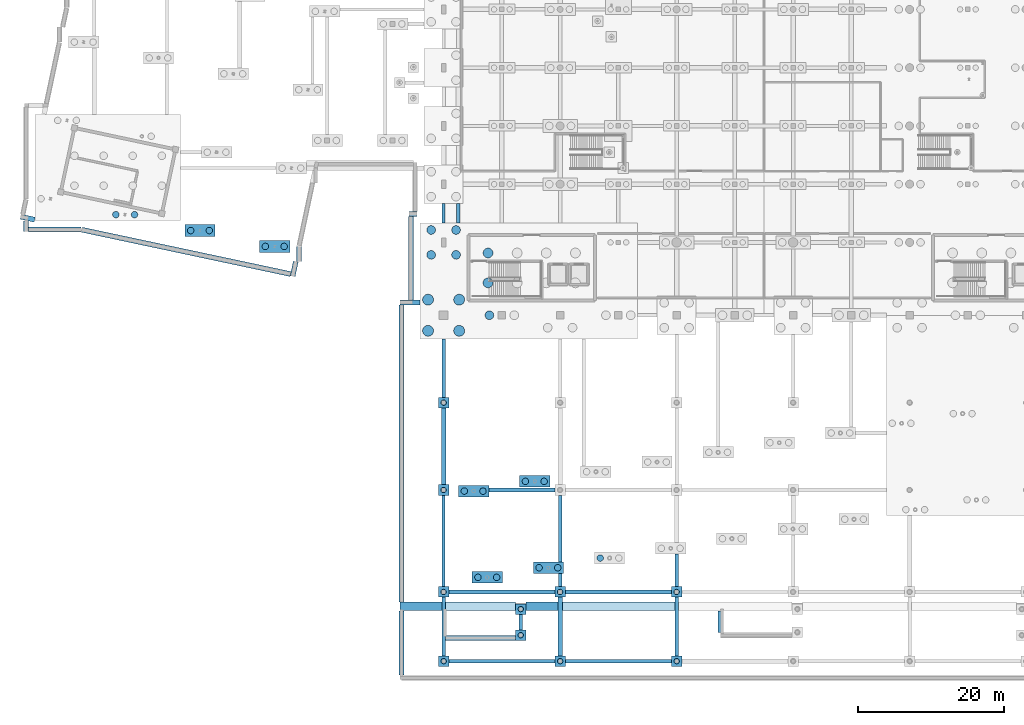
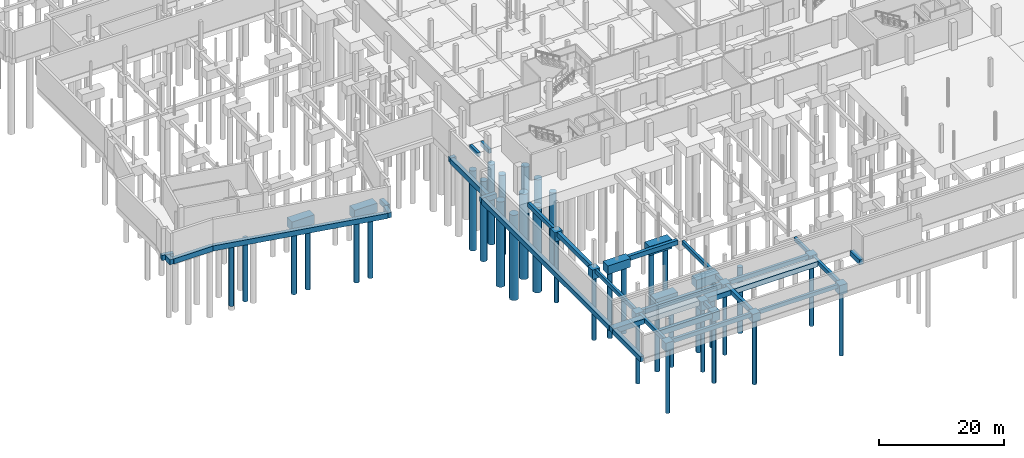
# One storey, part 1 of 65: 50 footings, 36 piles.
"""IFC4 building model written with IfcOpenShell, lengths in metres."""

from ifc_helpers import new_model, si_unit, direction, frame, origin, origin_2d, place, context, subcontext, project, spatial, rectangle, circle, extrude, material, material_profile, profile_set, type_object, element, save


model = new_model("IFC4")

# Units and contexts
model_context = context("Model", 3, precision=1e-05, world=origin(), true_north=direction((0.0, 1.0)))
body_context = subcontext(model_context, "Body", "Model", "MODEL_VIEW")
ifc_project = project(units=[si_unit("LENGTHUNIT", "METRE"), si_unit("AREAUNIT", "SQUARE_METRE"), si_unit("VOLUMEUNIT", "CUBIC_METRE"), si_unit("PLANEANGLEUNIT", "RADIAN"), si_unit("MASSUNIT", "GRAM", prefix="KILO")], contexts=[model_context])

# Site, building, storey
site_placement = place(None, origin())
site = spatial("IfcSite", under=ifc_project, at=site_placement, CompositionType="ELEMENT")
building_placement = place(site_placement, origin())
building = spatial("IfcBuilding", under=site, at=building_placement, Name="Khorjan Park Terminus", CompositionType="ELEMENT")
storey_placement = place(building_placement, frame((0.0, 0.0, -5.4)))
storey = spatial("IfcBuildingStorey", under=building, at=storey_placement, Name="B1", CompositionType="ELEMENT", Elevation=-5.4)

# Footings
ifc_material = material(Name="Concrete C40/50", Category="concrete")
ifc_material_profile_1 = material_profile(ifc_material, rectangle(XDim=0.45, YDim=0.75, at=origin_2d()), Name="RC 450x750")
ifc_profile_set_1 = profile_set([ifc_material_profile_1], Name="Concrete C40/50")
footing_type_1 = type_object("IfcFootingType", Name="FTG-GB-450x750", PredefinedType="FOOTING_BEAM", material=ifc_profile_set_1)
footing_1_placement = place(storey_placement, frame((64.725, -21.5, -0.375), z_axis=(1.0, 0.0, 0.0), x_axis=(0.0, 1.0, 0.0)))
element("IfcFooting", 1, at=footing_1_placement, inside=storey, type_object=footing_type_1, Name="Reinforced concrete ground tie beam FB-07 (2)", PredefinedType="FOOTING_BEAM", context=body_context, shape_type="SweptSolid", body=[
    extrude(rectangle(XDim=0.45, YDim=0.75, at=origin_2d()), origin(), (0.0, 0.0, 1.0), 14.55),
])
footing_2_placement = place(storey_placement, frame((48.0, -11.275, -0.375), z_axis=(0.0, 1.0, 0.0), x_axis=(-1.0, 0.0, 0.0)))
element("IfcFooting", 2, at=footing_2_placement, inside=storey, type_object=footing_type_1, Name="Reinforced concrete ground tie beam FB-07 (221)", PredefinedType="FOOTING_BEAM", context=body_context, shape_type="SweptSolid", body=[
    extrude(rectangle(XDim=0.45, YDim=0.75, at=origin_2d()), origin(), (0.0, 0.0, 1.0), 12.55),
])
footing_3_placement = place(storey_placement, frame((48.0, 38.66, -0.375), z_axis=(0.0, 1.0, 0.0), x_axis=(-1.0, 0.0, 0.0)))
element("IfcFooting", 3, at=footing_3_placement, inside=storey, type_object=footing_type_1, Name="Reinforced concrete ground tie beam FB-07 (224)", PredefinedType="FOOTING_BEAM", context=body_context, shape_type="SweptSolid", body=[
    extrude(rectangle(XDim=0.45, YDim=0.75, at=origin_2d()), origin(), (0.0, 0.0, 1.0), 2.68),
])
footing_4_placement = place(storey_placement, frame((58.59, -17.215, -0.375), z_axis=(0.0, 1.0, 0.0), x_axis=(-1.0, 0.0, 0.0)))
element("IfcFooting", 4, at=footing_4_placement, inside=storey, type_object=footing_type_1, Name="Reinforced concrete ground tie beam FB-07 (254)", PredefinedType="FOOTING_BEAM", context=body_context, shape_type="SweptSolid", body=[
    extrude(rectangle(XDim=0.45, YDim=0.75, at=origin_2d()), origin(), (0.0, 0.0, 1.0), 2.14),
])
footing_5_placement = place(storey_placement, frame((64.0, -7.87, -0.375), z_axis=(0.0, 1.0, 0.0), x_axis=(-1.0, 0.0, 0.0)))
element("IfcFooting", 5, at=footing_5_placement, inside=storey, type_object=footing_type_1, Name="Reinforced concrete ground tie beam FB-07 (257)", PredefinedType="FOOTING_BEAM", context=body_context, shape_type="SweptSolid", body=[
    extrude(rectangle(XDim=0.45, YDim=0.75, at=origin_2d()), origin(), (0.0, 0.0, 1.0), 9.145),
])
footing_6_placement = place(storey_placement, frame((80.0, -11.275, -0.375), z_axis=(0.0, 1.0, 0.0), x_axis=(-1.0, 0.0, 0.0)))
element("IfcFooting", 6, at=footing_6_placement, inside=storey, type_object=footing_type_1, Name="Reinforced concrete ground tie beam FB-07 (284)", PredefinedType="FOOTING_BEAM", context=body_context, shape_type="SweptSolid", body=[
    extrude(rectangle(XDim=0.45, YDim=0.75, at=origin_2d()), origin(), (0.0, 0.0, 1.0), 4.464),
])
ifc_material_profile_2 = material_profile(ifc_material, rectangle(XDim=0.5, YDim=0.8, at=origin_2d()), Name="RC 500x800")
ifc_profile_set_2 = profile_set([ifc_material_profile_2], Name="Concrete C40/50")
footing_type_2 = type_object("IfcFootingType", Name="FTG-GB-500x800", PredefinedType="FOOTING_BEAM", material=ifc_profile_set_2)
for number, where, z_axis, x_axis, name in (
    (7, (48.725, -21.5, -0.4), (1.0, 0.0, 0.0), (0.0, 1.0, 0.0), "Reinforced concrete ground tie beam FB-08 (1)"),
    (8, (64.725, -12.0, -0.4), (1.0, 0.0, 0.0), (0.0, 1.0, 0.0), "Reinforced concrete ground tie beam FB-08 (7)"),
):
    element("IfcFooting", number, at=place(storey_placement, frame(where, z_axis=z_axis, x_axis=x_axis)), inside=storey, type_object=footing_type_2, Name=name, PredefinedType="FOOTING_BEAM", context=body_context, shape_type="SweptSolid", body=[
        extrude(rectangle(XDim=0.5, YDim=0.8, at=origin_2d()), origin(), (0.0, 0.0, 1.0), 14.55),
    ])
footing_7_placement = place(storey_placement, frame((48.0, -20.775, -0.4), z_axis=(0.0, 1.0, 0.0), x_axis=(-1.0, 0.0, 0.0)))
element("IfcFooting", 9, at=footing_7_placement, inside=storey, type_object=footing_type_2, Name="Reinforced concrete ground tie beam FB-08 (220)", PredefinedType="FOOTING_BEAM", context=body_context, shape_type="SweptSolid", body=[
    extrude(rectangle(XDim=0.5, YDim=0.8, at=origin_2d()), origin(), (0.0, 0.0, 1.0), 8.05),
])
footing_8_placement = place(storey_placement, frame((48.0, 14.725, -0.4), z_axis=(0.0, 1.0, 0.0), x_axis=(-1.0, 0.0, 0.0)))
element("IfcFooting", 10, at=footing_8_placement, inside=storey, type_object=footing_type_2, Name="Reinforced concrete ground tie beam FB-08 (223)", PredefinedType="FOOTING_BEAM", context=body_context, shape_type="SweptSolid", body=[
    extrude(rectangle(XDim=0.5, YDim=0.8, at=origin_2d()), origin(), (0.0, 0.0, 1.0), 8.037),
])
footing_9_placement = place(storey_placement, frame((50.0, 38.66, -0.4), z_axis=(0.0, 1.0, 0.0), x_axis=(-1.0, 0.0, 0.0)))
element("IfcFooting", 11, at=footing_9_placement, inside=storey, type_object=footing_type_2, Name="Reinforced concrete ground tie beam FB-08 (235)", PredefinedType="FOOTING_BEAM", context=body_context, shape_type="SweptSolid", body=[
    extrude(rectangle(XDim=0.5, YDim=0.8, at=origin_2d()), origin(), (0.0, 0.0, 1.0), 2.68),
])
footing_10_placement = place(storey_placement, frame((64.0, -11.275, -0.4), z_axis=(0.0, 1.0, 0.0), x_axis=(-1.0, 0.0, 0.0)))
element("IfcFooting", 12, at=footing_10_placement, inside=storey, type_object=footing_type_2, Name="Reinforced concrete ground tie beam FB-08 (256)", PredefinedType="FOOTING_BEAM", context=body_context, shape_type="SweptSolid", body=[
    extrude(rectangle(XDim=0.5, YDim=0.8, at=origin_2d()), origin(), (0.0, 0.0, 1.0), 1.805),
])
footing_11_placement = place(storey_placement, frame((80.0, -20.775, -0.4), z_axis=(0.0, 1.0, 0.0), x_axis=(-1.0, 0.0, 0.0)))
element("IfcFooting", 13, at=footing_11_placement, inside=storey, type_object=footing_type_2, Name="Reinforced concrete ground tie beam FB-08 (283)", PredefinedType="FOOTING_BEAM", context=body_context, shape_type="SweptSolid", body=[
    extrude(rectangle(XDim=0.5, YDim=0.8, at=origin_2d()), origin(), (0.0, 0.0, 1.0), 8.05),
])
ifc_material_profile_3 = material_profile(ifc_material, rectangle(XDim=0.6, YDim=0.9, at=origin_2d()), Name="RC 600x900")
ifc_profile_set_3 = profile_set([ifc_material_profile_3], Name="Concrete C40/50")
footing_type_3 = type_object("IfcFootingType", Name="FTG-GB-600x900", PredefinedType="FOOTING_BEAM", material=ifc_profile_set_3)
footing_12_placement = place(storey_placement, frame((48.725, -12.0, -0.45), z_axis=(1.0, 0.0, 0.0), x_axis=(0.0, 1.0, 0.0)))
element("IfcFooting", 14, at=footing_12_placement, inside=storey, type_object=footing_type_3, Name="Reinforced concrete ground tie beam FB-09 (6)", PredefinedType="FOOTING_BEAM", context=body_context, shape_type="SweptSolid", body=[
    extrude(rectangle(XDim=0.6, YDim=0.9, at=origin_2d()), origin(), (0.0, 0.0, 1.0), 14.55),
])
footing_13_placement = place(storey_placement, frame((54.206, 2.0, -0.45), z_axis=(1.0, 0.0, 0.0), x_axis=(0.0, 1.0, 0.0)))
element("IfcFooting", 15, at=footing_13_placement, inside=storey, type_object=footing_type_3, Name="Reinforced concrete ground tie beam FB-09 (12)", PredefinedType="FOOTING_BEAM", context=body_context, shape_type="SweptSolid", body=[
    extrude(rectangle(XDim=0.6, YDim=0.9, at=origin_2d()), origin(), (0.0, 0.0, 1.0), 9.069),
])
footing_14_placement = place(storey_placement, frame((48.0, 2.725, -0.45), z_axis=(0.0, 1.0, 0.0), x_axis=(-1.0, 0.0, 0.0)))
element("IfcFooting", 16, at=footing_14_placement, inside=storey, type_object=footing_type_3, Name="Reinforced concrete ground tie beam FB-09 (222)", PredefinedType="FOOTING_BEAM", context=body_context, shape_type="SweptSolid", body=[
    extrude(rectangle(XDim=0.6, YDim=0.9, at=origin_2d()), origin(), (0.0, 0.0, 1.0), 10.55),
])
footing_15_placement = place(storey_placement, frame((64.0, -20.775, -0.45), z_axis=(0.0, 1.0, 0.0), x_axis=(-1.0, 0.0, 0.0)))
element("IfcFooting", 17, at=footing_15_placement, inside=storey, type_object=footing_type_3, Name="Reinforced concrete ground tie beam FB-09 (255)", PredefinedType="FOOTING_BEAM", context=body_context, shape_type="SweptSolid", body=[
    extrude(rectangle(XDim=0.6, YDim=0.9, at=origin_2d()), origin(), (0.0, 0.0, 1.0), 8.05),
])
footing_type_4 = type_object("IfcFootingType", Name="FTG-PC-02", PredefinedType="PILE_CAP", material=ifc_material)
footing_16_placement = place(storey_placement, frame((54.0, -10.0, -1.9), z_axis=(0.0, 0.0, 1.0), x_axis=(1.0, 0.0, 0.0)))
element("IfcFooting", 18, at=footing_16_placement, inside=storey, type_object=footing_type_4, Name="Reinforced concrete pile cap PC-02 (83)", PredefinedType="PILE_CAP", context=body_context, shape_type="SweptSolid", body=[
    extrude(rectangle(XDim=4.166, YDim=1.6, at=origin_2d()), origin(), (0.0, 0.0, 1.0), 1.9),
])
footing_type_5 = type_object("IfcFootingType", Name="FTG-PC-05", PredefinedType="PILE_CAP", material=ifc_material)
footing_17_placement = place(storey_placement, frame((24.8125, 35.451, -1.78), z_axis=(0.0, 0.0, 1.0), x_axis=(1.0, 0.0, 0.0)))
element("IfcFooting", 19, at=footing_17_placement, inside=storey, type_object=footing_type_5, Name="Reinforced concrete pile cap PC-05 (36)", PredefinedType="PILE_CAP", context=body_context, shape_type="SweptSolid", body=[
    extrude(rectangle(XDim=4.165, YDim=1.6, at=origin_2d()), origin(), (0.0, 0.0, 1.0), 1.78),
])
footing_18_placement = place(storey_placement, frame((60.518, 3.182, -1.78), z_axis=(0.0, 0.0, 1.0), x_axis=(1.0, 0.0, 0.0)))
element("IfcFooting", 20, at=footing_18_placement, inside=storey, type_object=footing_type_5, Name="Reinforced concrete pile cap PC-05 (99)", PredefinedType="PILE_CAP", context=body_context, shape_type="SweptSolid", body=[
    extrude(rectangle(XDim=4.166, YDim=1.6, at=origin_2d()), origin(), (0.0, 0.0, 1.0), 1.78),
])
footing_type_6 = type_object("IfcFootingType", Name="FTG-PC-07", PredefinedType="PILE_CAP", material=ifc_material)
footing_19_placement = place(storey_placement, frame((52.123, 1.852, -1.66), z_axis=(0.0, 0.0, 1.0), x_axis=(1.0, 0.0, 0.0)))
element("IfcFooting", 21, at=footing_19_placement, inside=storey, type_object=footing_type_6, Name="Reinforced concrete pile cap PC-07 (82)", PredefinedType="PILE_CAP", context=body_context, shape_type="SweptSolid", body=[
    extrude(rectangle(XDim=4.166, YDim=1.6, at=origin_2d()), origin(), (0.0, 0.0, 1.0), 1.66),
])
footing_type_7 = type_object("IfcFootingType", Name="FTG-PC-08", PredefinedType="PILE_CAP", material=ifc_material)
footing_20_placement = place(storey_placement, frame((62.395, -8.67, -1.72), z_axis=(0.0, 0.0, 1.0), x_axis=(1.0, 0.0, 0.0)))
element("IfcFooting", 22, at=footing_20_placement, inside=storey, type_object=footing_type_7, Name="Reinforced concrete pile cap PC-08 (100)", PredefinedType="PILE_CAP", context=body_context, shape_type="SweptSolid", body=[
    extrude(rectangle(XDim=4.166, YDim=1.6, at=origin_2d()), origin(), (0.0, 0.0, 1.0), 1.72),
])
footing_type_8 = type_object("IfcFootingType", Name="FTG-PC-15", PredefinedType="PILE_CAP", material=ifc_material)
for number, where, z_axis, x_axis, name in (
    (23, (48.0, -12.0, -1.6), (0.0, 0.0, 1.0), (1.0, 0.0, 0.0), "Reinforced concrete pile cap PC-15 (79)"),
    (24, (64.0, -21.5, -1.6), (0.0, 0.0, 1.0), (1.0, 0.0, 0.0), "Reinforced concrete pile cap PC-15 (114)"),
):
    element("IfcFooting", number, at=place(storey_placement, frame(where, z_axis=z_axis, x_axis=x_axis)), inside=storey, type_object=footing_type_8, Name=name, PredefinedType="PILE_CAP", context=body_context, shape_type="SweptSolid", body=[
        extrude(rectangle(XDim=1.45, YDim=1.45, at=origin_2d()), origin(), (0.0, 0.0, 1.0), 1.6),
    ])
footing_type_9 = type_object("IfcFootingType", Name="FTG-PC-16", PredefinedType="PILE_CAP", material=ifc_material)
footing_21_placement = place(storey_placement, frame((48.0, -21.5, -1.66), z_axis=(0.0, 0.0, 1.0), x_axis=(1.0, 0.0, 0.0)))
element("IfcFooting", 25, at=footing_21_placement, inside=storey, type_object=footing_type_9, Name="Reinforced concrete pile cap PC-16 (78)", PredefinedType="PILE_CAP", context=body_context, shape_type="SweptSolid", body=[
    extrude(rectangle(XDim=1.45, YDim=1.45, at=origin_2d()), origin(), (0.0, 0.0, 1.0), 1.66),
])
footing_type_10 = type_object("IfcFootingType", Name="FTG-PC-17", PredefinedType="PILE_CAP", material=ifc_material)
footing_22_placement = place(storey_placement, frame((58.59, -17.94, -1.72), z_axis=(0.0, 0.0, 1.0), x_axis=(1.0, 0.0, 0.0)))
element("IfcFooting", 26, at=footing_22_placement, inside=storey, type_object=footing_type_10, Name="Reinforced concrete pile cap PC-17 (97)", PredefinedType="PILE_CAP", context=body_context, shape_type="SweptSolid", body=[
    extrude(rectangle(XDim=1.45, YDim=1.45, at=origin_2d()), origin(), (0.0, 0.0, 1.0), 1.72),
])
footing_type_11 = type_object("IfcFootingType", Name="FTG-PC-18", PredefinedType="PILE_CAP", material=ifc_material)
footing_23_placement = place(storey_placement, frame((14.541, 37.634, -1.78), z_axis=(0.0, 0.0, 1.0), x_axis=(1.0, 0.0, 0.0)))
element("IfcFooting", 27, at=footing_23_placement, inside=storey, type_object=footing_type_11, Name="Reinforced concrete pile cap PC-18 (23)", PredefinedType="PILE_CAP", context=body_context, shape_type="SweptSolid", body=[
    extrude(rectangle(XDim=4.164, YDim=1.6, at=origin_2d()), origin(), (0.0, 0.0, 1.0), 1.78),
])
footing_type_12 = type_object("IfcFootingType", Name="FTG-PC-21", PredefinedType="PILE_CAP", material=ifc_material)
for number, where, z_axis, x_axis, name in (
    (28, (48.0, 2.0, -1.84), (0.0, 0.0, 1.0), (1.0, 0.0, 0.0), "Reinforced concrete pile cap PC-21 (80)"),
    (29, (64.0, -12.0, -1.84), (0.0, 0.0, 1.0), (1.0, 0.0, 0.0), "Reinforced concrete pile cap PC-21 (115)"),
    (30, (80.0, -21.5, -1.84), (0.0, 0.0, 1.0), (1.0, 0.0, 0.0), "Reinforced concrete pile cap PC-21 (158)"),
):
    element("IfcFooting", number, at=place(storey_placement, frame(where, z_axis=z_axis, x_axis=x_axis)), inside=storey, type_object=footing_type_12, Name=name, PredefinedType="PILE_CAP", context=body_context, shape_type="SweptSolid", body=[
        extrude(rectangle(XDim=1.45, YDim=1.45, at=origin_2d()), origin(), (0.0, 0.0, 1.0), 1.84),
    ])
footing_type_13 = type_object("IfcFootingType", Name="FTG-PC-22", PredefinedType="PILE_CAP", material=ifc_material)
for number, where, z_axis, x_axis, name in (
    (31, (48.0, 14.0, -1.78), (0.0, 0.0, 1.0), (1.0, 0.0, 0.0), "Reinforced concrete pile cap PC-22 (81)"),
    (32, (58.59, -14.35, -1.78), (0.0, 0.0, 1.0), (1.0, 0.0, 0.0), "Reinforced concrete pile cap PC-22 (98)"),
    (33, (80.0, -12.0, -1.78), (0.0, 0.0, 1.0), (1.0, 0.0, 0.0), "Reinforced concrete pile cap PC-22 (159)"),
):
    element("IfcFooting", number, at=place(storey_placement, frame(where, z_axis=z_axis, x_axis=x_axis)), inside=storey, type_object=footing_type_13, Name=name, PredefinedType="PILE_CAP", context=body_context, shape_type="SweptSolid", body=[
        extrude(rectangle(XDim=1.45, YDim=1.45, at=origin_2d()), origin(), (0.0, 0.0, 1.0), 1.78),
    ])
ifc_material_profile_4 = material_profile(ifc_material, rectangle(XDim=1.2, YDim=1.0, at=origin_2d()), Name="RC 1200x1000")
ifc_profile_set_4 = profile_set([ifc_material_profile_4], Name="Concrete C40/50")
footing_type_14 = type_object("IfcFootingType", Name="FTG-SF-1200x1000", PredefinedType="STRIP_FOOTING", material=ifc_profile_set_4)
footing_24_placement = place(storey_placement, frame((42.0, -13.98, -0.5), z_axis=(1.0, 0.0, 0.0), x_axis=(0.0, 1.0, 0.0)))
element("IfcFooting", 34, at=footing_24_placement, inside=storey, type_object=footing_type_14, Name="Reinforced concrete wall strip footing SF-12 (1)", PredefinedType="STRIP_FOOTING", context=body_context, shape_type="SweptSolid", body=[
    extrude(rectangle(XDim=1.2, YDim=1.0, at=origin_2d()), origin(), (0.0, 0.0, 1.0), 5.747),
])
footing_25_placement = place(storey_placement, frame((48.253, -13.98, -0.5), z_axis=(1.0, 0.0, 0.0), x_axis=(0.0, 1.0, 0.0)))
element("IfcFooting", 35, at=footing_25_placement, inside=storey, type_object=footing_type_14, Name="Reinforced concrete wall strip footing SF-12 (2)", PredefinedType="STRIP_FOOTING", context=body_context, shape_type="SweptSolid", body=[
    extrude(rectangle(XDim=1.2, YDim=1.0, at=origin_2d()), origin(), (0.0, 0.0, 1.0), 9.609),
])
footing_26_placement = place(storey_placement, frame((59.318, -13.98, -0.5), z_axis=(1.0, 0.0, 0.0), x_axis=(0.0, 1.0, 0.0)))
element("IfcFooting", 36, at=footing_26_placement, inside=storey, type_object=footing_type_14, Name="Reinforced concrete wall strip footing SF-12 (3)", PredefinedType="STRIP_FOOTING", context=body_context, shape_type="SweptSolid", body=[
    extrude(rectangle(XDim=1.2, YDim=1.0, at=origin_2d()), origin(), (0.0, 0.0, 1.0), 4.379),
])
footing_27_placement = place(storey_placement, frame((64.303, -13.98, -0.5), z_axis=(1.0, 0.0, 0.0), x_axis=(0.0, 1.0, 0.0)))
element("IfcFooting", 37, at=footing_27_placement, inside=storey, type_object=footing_type_14, Name="Reinforced concrete wall strip footing SF-12 (4)", PredefinedType="STRIP_FOOTING", context=body_context, shape_type="SweptSolid", body=[
    extrude(rectangle(XDim=1.2, YDim=1.0, at=origin_2d()), origin(), (0.0, 0.0, 1.0), 15.444),
])
ifc_material_profile_5 = material_profile(ifc_material, rectangle(XDim=0.7, YDim=1.0, at=origin_2d()), Name="RC 700x1000")
ifc_profile_set_5 = profile_set([ifc_material_profile_5], Name="Concrete C40/50")
footing_type_15 = type_object("IfcFootingType", Name="FTG-SF-700x1000", PredefinedType="STRIP_FOOTING", material=ifc_profile_set_5)
footing_28_placement = place(storey_placement, frame((42.0, 27.76, -0.5), z_axis=(1.0, 0.0, 0.0), x_axis=(0.0, 1.0, 0.0)))
element("IfcFooting", 38, at=footing_28_placement, inside=storey, type_object=footing_type_15, Name="Reinforced concrete wall strip footing SF-07 (26)", PredefinedType="STRIP_FOOTING", context=body_context, shape_type="SweptSolid", body=[
    extrude(rectangle(XDim=0.7, YDim=1.0, at=origin_2d()), origin(), (0.0, 0.0, 1.0), 2.76),
])
footing_29_placement = place(storey_placement, frame((-8.1583, 39.1259, -0.5), z_axis=(-0.978147334476, 0.207912943458, 0.0), x_axis=(-0.207912943458, -0.978147334476, 0.0)))
element("IfcFooting", 39, at=footing_29_placement, inside=storey, type_object=footing_type_15, Name="Reinforced concrete wall strip footing SF-07 (27)", PredefinedType="STRIP_FOOTING", context=body_context, shape_type="SweptSolid", body=[
    extrude(rectangle(XDim=0.7, YDim=1.0, at=origin_2d()), origin(), (0.0, 0.0, 1.0), 1.9864),
])
footing_30_placement = place(storey_placement, frame((43.263, 39.92, -0.5), z_axis=(1.0, 0.0, 0.0), x_axis=(0.0, 1.0, 0.0)))
element("IfcFooting", 40, at=footing_30_placement, inside=storey, type_object=footing_type_15, Name="Reinforced concrete wall strip footing SF-07 (28)", PredefinedType="STRIP_FOOTING", context=body_context, shape_type="SweptSolid", body=[
    extrude(rectangle(XDim=0.7, YDim=1.0, at=origin_2d()), origin(), (0.0, 0.0, 1.0), 1.057),
])
footing_31_placement = place(storey_placement, frame((-9.342, 37.517, -0.5), z_axis=(0.0, 1.0, 0.0), x_axis=(-1.0, 0.0, 0.0)))
element("IfcFooting", 41, at=footing_31_placement, inside=storey, type_object=footing_type_15, Name="Reinforced concrete wall strip footing SF-07 (38)", PredefinedType="STRIP_FOOTING", context=body_context, shape_type="SweptSolid", body=[
    extrude(rectangle(XDim=0.7, YDim=1.0, at=origin_2d()), origin(), (0.0, 0.0, 1.0), 1.4247),
])
footing_32_placement = place(storey_placement, frame((28.155, 35.4494, -0.5), z_axis=(0.0, -1.0, 0.0), x_axis=(1.0, 0.0, 0.0)))
element("IfcFooting", 42, at=footing_32_placement, inside=storey, type_object=footing_type_15, Name="Reinforced concrete wall strip footing SF-07 (40)", PredefinedType="STRIP_FOOTING", context=body_context, shape_type="SweptSolid", body=[
    extrude(rectangle(XDim=0.7, YDim=1.0, at=origin_2d()), origin(), (0.0, 0.0, 1.0), 2.0584),
])
footing_33_placement = place(storey_placement, frame((27.7066, 33.391, -0.5), z_axis=(-0.207896003299, -0.978150935087, 0.0), x_axis=(0.978150935087, -0.207896003299, 0.0)))
element("IfcFooting", 43, at=footing_33_placement, inside=storey, type_object=footing_type_15, Name="Reinforced concrete wall strip footing SF-07 (41)", PredefinedType="STRIP_FOOTING", context=body_context, shape_type="SweptSolid", body=[
    extrude(rectangle(XDim=0.7, YDim=1.0, at=origin_2d()), origin(), (0.0, 0.0, 1.0), 2.0871),
])
footing_34_placement = place(storey_placement, frame((42.24, -13.377, -0.5), z_axis=(0.0, 1.0, 0.0), x_axis=(-1.0, 0.0, 0.0)))
element("IfcFooting", 44, at=footing_34_placement, inside=storey, type_object=footing_type_15, Name="Reinforced concrete wall strip footing SF-07 (46)", PredefinedType="STRIP_FOOTING", context=body_context, shape_type="SweptSolid", body=[
    extrude(rectangle(XDim=0.7, YDim=1.0, at=origin_2d()), origin(), (0.0, 0.0, 1.0), 40.784),
])
footing_35_placement = place(storey_placement, frame((26.9773, 31.6576, -0.5), z_axis=(-0.978147074512, 0.20791416648, 0.0), x_axis=(-0.20791416648, -0.978147074512, 0.0)))
element("IfcFooting", 45, at=footing_35_placement, inside=storey, type_object=footing_type_15, Name="Reinforced concrete wall strip footing SF-07 (47)", PredefinedType="STRIP_FOOTING", context=body_context, shape_type="SweptSolid", body=[
    extrude(rectangle(XDim=0.7, YDim=1.0, at=origin_2d()), origin(), (0.0, 0.0, 1.0), 29.3111),
])
footing_36_placement = place(storey_placement, frame((43.503, 28.113, -0.5), z_axis=(0.0, 1.0, 0.0), x_axis=(-1.0, 0.0, 0.0)))
element("IfcFooting", 46, at=footing_36_placement, inside=storey, type_object=footing_type_15, Name="Reinforced concrete wall strip footing SF-07 (56)", PredefinedType="STRIP_FOOTING", context=body_context, shape_type="SweptSolid", body=[
    extrude(rectangle(XDim=0.7, YDim=1.0, at=origin_2d()), origin(), (0.0, 0.0, 1.0), 11.454),
])
footing_37_placement = place(storey_placement, frame((48.253, -18.35, -0.5), z_axis=(1.0, 0.0, 0.0), x_axis=(0.0, 1.0, 0.0)))
element("IfcFooting", 47, at=footing_37_placement, inside=storey, type_object=footing_type_15, Name="Reinforced concrete wall strip footing SF-07 (60)", PredefinedType="STRIP_FOOTING", context=body_context, shape_type="SweptSolid", body=[
    extrude(rectangle(XDim=0.7, YDim=1.0, at=origin_2d()), origin(), (0.0, 0.0, 1.0), 9.609),
])
footing_38_placement = place(storey_placement, frame((42.21, -23.437, -0.5), z_axis=(0.0, 1.0, 0.0), x_axis=(-1.0, 0.0, 0.0)))
element("IfcFooting", 48, at=footing_38_placement, inside=storey, type_object=footing_type_15, Name="Reinforced concrete wall strip footing SF-07 (63)", PredefinedType="STRIP_FOOTING", context=body_context, shape_type="SweptSolid", body=[
    extrude(rectangle(XDim=0.7, YDim=1.0, at=origin_2d()), origin(), (0.0, 0.0, 1.0), 8.854),
])
footing_39_placement = place(storey_placement, frame((-1.7691, 37.757, -0.5), z_axis=(-1.0, 0.0, 0.0), x_axis=(0.0, -1.0, 0.0)))
element("IfcFooting", 49, at=footing_39_placement, inside=storey, type_object=footing_type_15, Name="Reinforced concrete wall strip footing SF-07 (72)", PredefinedType="STRIP_FOOTING", context=body_context, shape_type="SweptSolid", body=[
    extrude(rectangle(XDim=0.7, YDim=1.0, at=origin_2d()), origin(), (0.0, 0.0, 1.0), 7.2199),
])
footing_40_placement = place(storey_placement, frame((86.0, -17.597, -0.5), z_axis=(0.0, 1.0, 0.0), x_axis=(-1.0, 0.0, 0.0)))
element("IfcFooting", 50, at=footing_40_placement, inside=storey, type_object=footing_type_15, Name="Reinforced concrete wall strip footing SF-07 (89)", PredefinedType="STRIP_FOOTING", context=body_context, shape_type="SweptSolid", body=[
    extrude(rectangle(XDim=0.7, YDim=1.0, at=origin_2d()), origin(), (0.0, 0.0, 1.0), 3.014),
])

# Piles
ifc_material_profile_6 = material_profile(ifc_material, circle(Radius=0.6, at=origin_2d()), Name="BORED D1200")
ifc_profile_set_6 = profile_set([ifc_material_profile_6], Name="Concrete C40/50")
pile_type_1 = type_object("IfcPileType", Name="PL-D1200", PredefinedType="BORED", material=ifc_profile_set_6)
for number, where, z_axis, x_axis, name in (
    (51, (46.29, 34.29, -1.98), (0.0, 0.0, -1.0), (1.0, 0.0, 0.0), "Bored rock-socketed pile PL-120 (147)"),
    (52, (46.29, 37.71, -1.98), (0.0, 0.0, -1.0), (1.0, 0.0, 0.0), "Bored rock-socketed pile PL-120 (148)"),
    (53, (49.71, 34.29, -1.98), (0.0, 0.0, -1.0), (1.0, 0.0, 0.0), "Bored rock-socketed pile PL-120 (149)"),
    (54, (49.71, 37.71, -1.98), (0.0, 0.0, -1.0), (1.0, 0.0, 0.0), "Bored rock-socketed pile PL-120 (150)"),
    (55, (54.29, 26.0, -1.98), (0.0, 0.0, -1.0), (1.0, 0.0, 0.0), "Bored rock-socketed pile PL-120 (151)"),
):
    element("IfcPile", number, at=place(storey_placement, frame(where, z_axis=z_axis, x_axis=x_axis)), inside=storey, type_object=pile_type_1, Name=name, PredefinedType="BORED", context=body_context, shape_type="SweptSolid", body=[
        extrude(circle(Radius=0.6, at=origin_2d()), origin(), (0.0, 0.0, 1.0), 15.62),
    ])
ifc_material_profile_7 = material_profile(ifc_material, circle(Radius=0.675, at=origin_2d()), Name="BORED D1350")
ifc_profile_set_7 = profile_set([ifc_material_profile_7], Name="Concrete C40/50")
pile_type_2 = type_object("IfcPileType", Name="PL-D1350", PredefinedType="BORED", material=ifc_profile_set_7)
for number, where, z_axis, x_axis, name in (
    (56, (54.1, 30.45, -1.98), (0.0, 0.0, -1.0), (1.0, 0.0, 0.0), "Bored rock-socketed pile PL-135 (139)"),
    (57, (54.1, 34.55, -1.98), (0.0, 0.0, -1.0), (1.0, 0.0, 0.0), "Bored rock-socketed pile PL-135 (140)"),
):
    element("IfcPile", number, at=place(storey_placement, frame(where, z_axis=z_axis, x_axis=x_axis)), inside=storey, type_object=pile_type_2, Name=name, PredefinedType="BORED", context=body_context, shape_type="SweptSolid", body=[
        extrude(circle(Radius=0.675, at=origin_2d()), origin(), (0.0, 0.0, 1.0), 16.62),
    ])
ifc_material_profile_8 = material_profile(ifc_material, circle(Radius=0.75, at=origin_2d()), Name="BORED D1500")
ifc_profile_set_8 = profile_set([ifc_material_profile_8], Name="Concrete C40/50")
pile_type_3 = type_object("IfcPileType", Name="PL-D1500", PredefinedType="BORED", material=ifc_profile_set_8)
for number, where, z_axis, x_axis, name in (
    (58, (45.8625, 23.8625, -1.98), (0.0, 0.0, -1.0), (1.0, 0.0, 0.0), "Bored rock-socketed pile PL-150 (135)"),
    (59, (45.8625, 28.1375, -1.98), (0.0, 0.0, -1.0), (1.0, 0.0, 0.0), "Bored rock-socketed pile PL-150 (136)"),
    (60, (50.1375, 23.8625, -1.98), (0.0, 0.0, -1.0), (1.0, 0.0, 0.0), "Bored rock-socketed pile PL-150 (137)"),
    (61, (50.1375, 28.1375, -1.98), (0.0, 0.0, -1.0), (1.0, 0.0, 0.0), "Bored rock-socketed pile PL-150 (138)"),
):
    element("IfcPile", number, at=place(storey_placement, frame(where, z_axis=z_axis, x_axis=x_axis)), inside=storey, type_object=pile_type_3, Name=name, PredefinedType="BORED", context=body_context, shape_type="SweptSolid", body=[
        extrude(circle(Radius=0.75, at=origin_2d()), origin(), (0.0, 0.0, 1.0), 16.62),
    ])
ifc_material_profile_9 = material_profile(ifc_material, circle(Radius=0.375, at=origin_2d()), Name="BORED D750")
ifc_profile_set_9 = profile_set([ifc_material_profile_9], Name="Concrete C40/50")
pile_type_4 = type_object("IfcPileType", Name="PL-D750", PredefinedType="BORED", material=ifc_profile_set_9)
pile_1_placement = place(storey_placement, frame((48.0, -21.5, -1.56), z_axis=(0.0, 0.0, -1.0), x_axis=(1.0, 0.0, 0.0)))
element("IfcPile", 62, at=pile_1_placement, inside=storey, type_object=pile_type_4, Name="Bored rock-socketed pile PL-75 (196)", PredefinedType="BORED", context=body_context, shape_type="SweptSolid", body=[
    extrude(circle(Radius=0.375, at=origin_2d()), origin(), (0.0, 0.0, 1.0), 12.54),
])
pile_2_placement = place(storey_placement, frame((48.0, -12.0, -1.5), z_axis=(0.0, 0.0, -1.0), x_axis=(1.0, 0.0, 0.0)))
element("IfcPile", 63, at=pile_2_placement, inside=storey, type_object=pile_type_4, Name="Bored rock-socketed pile PL-75 (197)", PredefinedType="BORED", context=body_context, shape_type="SweptSolid", body=[
    extrude(circle(Radius=0.375, at=origin_2d()), origin(), (0.0, 0.0, 1.0), 12.6),
])
pile_3_placement = place(storey_placement, frame((48.0, 2.0, -1.74), z_axis=(0.0, 0.0, -1.0), x_axis=(1.0, 0.0, 0.0)))
element("IfcPile", 64, at=pile_3_placement, inside=storey, type_object=pile_type_4, Name="Bored rock-socketed pile PL-75 (198)", PredefinedType="BORED", context=body_context, shape_type="SweptSolid", body=[
    extrude(circle(Radius=0.375, at=origin_2d()), origin(), (0.0, 0.0, 1.0), 12.36),
])
pile_4_placement = place(storey_placement, frame((48.0, 14.0, -1.68), z_axis=(0.0, 0.0, -1.0), x_axis=(1.0, 0.0, 0.0)))
element("IfcPile", 65, at=pile_4_placement, inside=storey, type_object=pile_type_4, Name="Bored rock-socketed pile PL-75 (199)", PredefinedType="BORED", context=body_context, shape_type="SweptSolid", body=[
    extrude(circle(Radius=0.375, at=origin_2d()), origin(), (0.0, 0.0, 1.0), 12.42),
])
pile_5_placement = place(storey_placement, frame((58.59, -17.94, -1.62), z_axis=(0.0, 0.0, -1.0), x_axis=(1.0, 0.0, 0.0)))
element("IfcPile", 66, at=pile_5_placement, inside=storey, type_object=pile_type_4, Name="Bored rock-socketed pile PL-75 (230)", PredefinedType="BORED", context=body_context, shape_type="SweptSolid", body=[
    extrude(circle(Radius=0.375, at=origin_2d()), origin(), (0.0, 0.0, 1.0), 12.48),
])
pile_6_placement = place(storey_placement, frame((58.59, -14.35, -1.68), z_axis=(0.0, 0.0, -1.0), x_axis=(1.0, 0.0, 0.0)))
element("IfcPile", 67, at=pile_6_placement, inside=storey, type_object=pile_type_4, Name="Bored rock-socketed pile PL-75 (231)", PredefinedType="BORED", context=body_context, shape_type="SweptSolid", body=[
    extrude(circle(Radius=0.375, at=origin_2d()), origin(), (0.0, 0.0, 1.0), 12.42),
])
pile_7_placement = place(storey_placement, frame((64.0, -21.5, -1.5), z_axis=(0.0, 0.0, -1.0), x_axis=(1.0, 0.0, 0.0)))
element("IfcPile", 68, at=pile_7_placement, inside=storey, type_object=pile_type_4, Name="Bored rock-socketed pile PL-75 (268)", PredefinedType="BORED", context=body_context, shape_type="SweptSolid", body=[
    extrude(circle(Radius=0.375, at=origin_2d()), origin(), (0.0, 0.0, 1.0), 12.6),
])
for number, where, z_axis, x_axis, name in (
    (69, (64.0, -12.0, -1.74), (0.0, 0.0, -1.0), (1.0, 0.0, 0.0), "Bored rock-socketed pile PL-75 (269)"),
    (70, (80.0, -21.5, -1.74), (0.0, 0.0, -1.0), (1.0, 0.0, 0.0), "Bored rock-socketed pile PL-75 (358)"),
):
    element("IfcPile", number, at=place(storey_placement, frame(where, z_axis=z_axis, x_axis=x_axis)), inside=storey, type_object=pile_type_4, Name=name, PredefinedType="BORED", context=body_context, shape_type="SweptSolid", body=[
        extrude(circle(Radius=0.375, at=origin_2d()), origin(), (0.0, 0.0, 1.0), 12.36),
    ])
pile_8_placement = place(storey_placement, frame((80.0, -12.0, -1.68), z_axis=(0.0, 0.0, -1.0), x_axis=(1.0, 0.0, 0.0)))
element("IfcPile", 71, at=pile_8_placement, inside=storey, type_object=pile_type_4, Name="Bored rock-socketed pile PL-75 (359)", PredefinedType="BORED", context=body_context, shape_type="SweptSolid", body=[
    extrude(circle(Radius=0.375, at=origin_2d()), origin(), (0.0, 0.0, 1.0), 12.42),
])
ifc_material_profile_10 = material_profile(ifc_material, circle(Radius=0.45, at=origin_2d()), Name="BORED D900")
ifc_profile_set_10 = profile_set([ifc_material_profile_10], Name="Concrete C40/50")
pile_type_5 = type_object("IfcPileType", Name="PL-D900", PredefinedType="BORED", material=ifc_profile_set_10)
for number, where, z_axis, x_axis, name in (
    (72, (2.9885, 39.817, -2.32), (0.0, 0.0, -1.0), (1.0, 0.0, 0.0), "Bored rock-socketed pile PL-90 (12)"),
    (73, (5.5535, 39.817, -2.32), (0.0, 0.0, -1.0), (1.0, 0.0, 0.0), "Bored rock-socketed pile PL-90 (13)"),
):
    element("IfcPile", number, at=place(storey_placement, frame(where, z_axis=z_axis, x_axis=x_axis)), inside=storey, type_object=pile_type_5, Name=name, PredefinedType="BORED", context=body_context, shape_type="SweptSolid", body=[
        extrude(circle(Radius=0.45, at=origin_2d()), origin(), (0.0, 0.0, 1.0), 12.28),
    ])
for number, where, z_axis, x_axis, name in (
    (74, (13.2585, 37.634, -1.68), (0.0, 0.0, -1.0), (1.0, 0.0, 0.0), "Bored rock-socketed pile PL-90 (58)"),
    (75, (15.8235, 37.634, -1.68), (0.0, 0.0, -1.0), (1.0, 0.0, 0.0), "Bored rock-socketed pile PL-90 (59)"),
    (76, (23.5295, 35.451, -1.68), (0.0, 0.0, -1.0), (1.0, 0.0, 0.0), "Bored rock-socketed pile PL-90 (82)"),
    (77, (26.0945, 35.451, -1.68), (0.0, 0.0, -1.0), (1.0, 0.0, 0.0), "Bored rock-socketed pile PL-90 (83)"),
):
    element("IfcPile", number, at=place(storey_placement, frame(where, z_axis=z_axis, x_axis=x_axis)), inside=storey, type_object=pile_type_5, Name=name, PredefinedType="BORED", context=body_context, shape_type="SweptSolid", body=[
        extrude(circle(Radius=0.45, at=origin_2d()), origin(), (0.0, 0.0, 1.0), 12.92),
    ])
for number, where, z_axis, x_axis, name in (
    (78, (50.8405, 1.852, -1.56), (0.0, 0.0, -1.0), (1.0, 0.0, 0.0), "Bored rock-socketed pile PL-90 (200)"),
    (79, (53.4055, 1.852, -1.56), (0.0, 0.0, -1.0), (1.0, 0.0, 0.0), "Bored rock-socketed pile PL-90 (201)"),
):
    element("IfcPile", number, at=place(storey_placement, frame(where, z_axis=z_axis, x_axis=x_axis)), inside=storey, type_object=pile_type_5, Name=name, PredefinedType="BORED", context=body_context, shape_type="SweptSolid", body=[
        extrude(circle(Radius=0.45, at=origin_2d()), origin(), (0.0, 0.0, 1.0), 13.04),
    ])
for number, where, z_axis, x_axis, name in (
    (80, (52.7175, -10.0, -1.8), (0.0, 0.0, -1.0), (1.0, 0.0, 0.0), "Bored rock-socketed pile PL-90 (202)"),
    (81, (55.2825, -10.0, -1.8), (0.0, 0.0, -1.0), (1.0, 0.0, 0.0), "Bored rock-socketed pile PL-90 (203)"),
):
    element("IfcPile", number, at=place(storey_placement, frame(where, z_axis=z_axis, x_axis=x_axis)), inside=storey, type_object=pile_type_5, Name=name, PredefinedType="BORED", context=body_context, shape_type="SweptSolid", body=[
        extrude(circle(Radius=0.45, at=origin_2d()), origin(), (0.0, 0.0, 1.0), 12.8),
    ])
for number, where, z_axis, x_axis, name in (
    (82, (59.2355, 3.182, -1.68), (0.0, 0.0, -1.0), (1.0, 0.0, 0.0), "Bored rock-socketed pile PL-90 (232)"),
    (83, (61.8005, 3.182, -1.68), (0.0, 0.0, -1.0), (1.0, 0.0, 0.0), "Bored rock-socketed pile PL-90 (233)"),
):
    element("IfcPile", number, at=place(storey_placement, frame(where, z_axis=z_axis, x_axis=x_axis)), inside=storey, type_object=pile_type_5, Name=name, PredefinedType="BORED", context=body_context, shape_type="SweptSolid", body=[
        extrude(circle(Radius=0.45, at=origin_2d()), origin(), (0.0, 0.0, 1.0), 12.92),
    ])
for number, where, z_axis, x_axis, name in (
    (84, (61.1125, -8.67, -1.62), (0.0, 0.0, -1.0), (1.0, 0.0, 0.0), "Bored rock-socketed pile PL-90 (234)"),
    (85, (63.6775, -8.67, -1.62), (0.0, 0.0, -1.0), (1.0, 0.0, 0.0), "Bored rock-socketed pile PL-90 (235)"),
):
    element("IfcPile", number, at=place(storey_placement, frame(where, z_axis=z_axis, x_axis=x_axis)), inside=storey, type_object=pile_type_5, Name=name, PredefinedType="BORED", context=body_context, shape_type="SweptSolid", body=[
        extrude(circle(Radius=0.45, at=origin_2d()), origin(), (0.0, 0.0, 1.0), 12.98),
    ])
pile_9_placement = place(storey_placement, frame((69.5085, -7.341, -1.74), z_axis=(0.0, 0.0, -1.0), x_axis=(1.0, 0.0, 0.0)))
element("IfcPile", 86, at=pile_9_placement, inside=storey, type_object=pile_type_5, Name="Bored rock-socketed pile PL-90 (283)", PredefinedType="BORED", context=body_context, shape_type="SweptSolid", body=[
    extrude(circle(Radius=0.45, at=origin_2d()), origin(), (0.0, 0.0, 1.0), 12.86),
])

save(model, "model.ifc")
